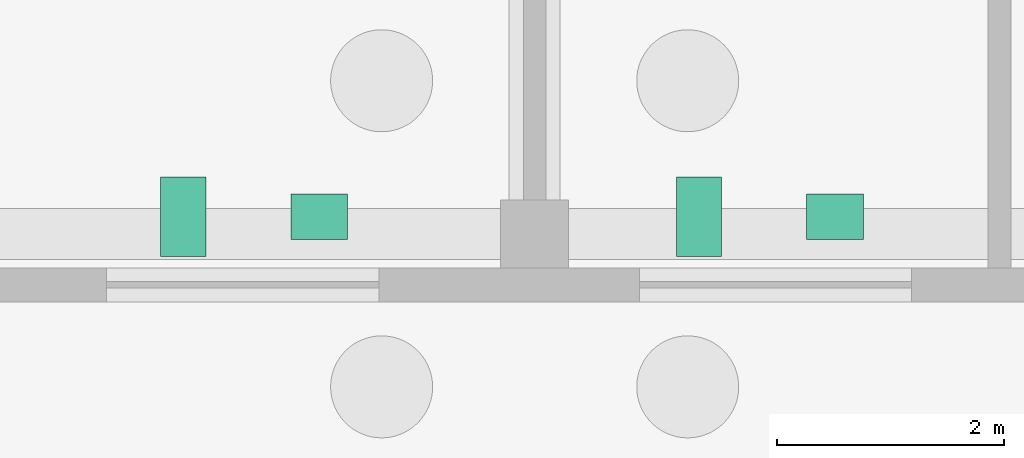
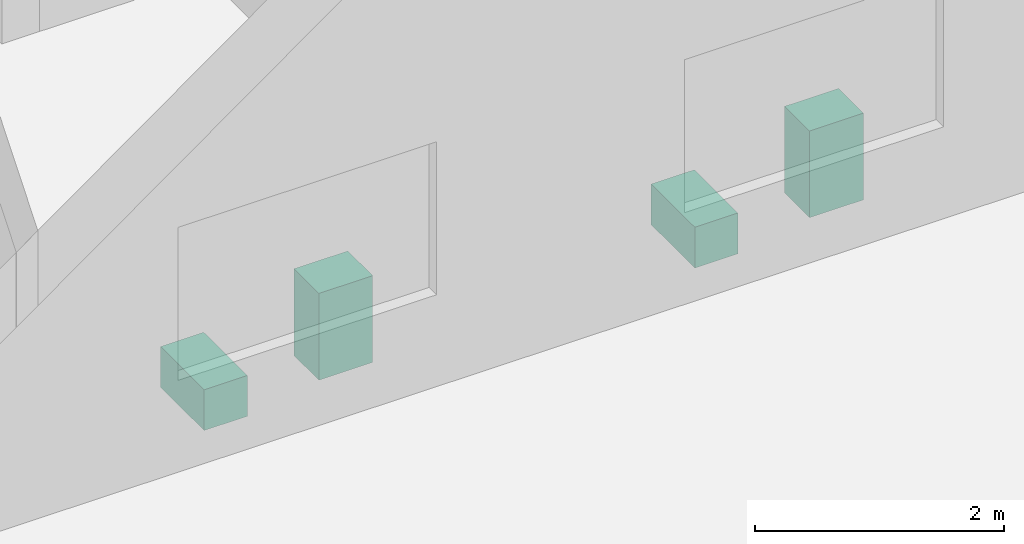
# One storey, part 29 of 31: 4 sanitary terminals.
"""IFC4 building model written with IfcOpenShell, lengths in metres."""

from ifc_helpers import new_model, si_unit, direction, frame, origin, origin_2d, place, context, subcontext, project, spatial, rectangle, extrude, material, type_object, element, save


model = new_model("IFC4")

# Units and contexts
model_context = context("Model", 3, precision=1e-05, world=origin(), true_north=direction((0.0, 1.0)))
body_context = subcontext(model_context, "Body", "Model", "MODEL_VIEW")
ifc_project = project(units=[si_unit("LENGTHUNIT", "METRE"), si_unit("AREAUNIT", "SQUARE_METRE"), si_unit("VOLUMEUNIT", "CUBIC_METRE"), si_unit("PLANEANGLEUNIT", "RADIAN"), si_unit("MASSUNIT", "GRAM", prefix="KILO")], contexts=[model_context])

# Site, building, storey
site_placement = place(None, origin())
site = spatial("IfcSite", under=ifc_project, at=site_placement, CompositionType="ELEMENT")
building_placement = place(site_placement, origin())
building = spatial("IfcBuilding", under=site, at=building_placement, Name="Girih Gate Residences", CompositionType="ELEMENT")
storey_placement = place(building_placement, origin())
storey = spatial("IfcBuildingStorey", under=building, at=storey_placement, Name="L00", CompositionType="ELEMENT", Elevation=0.0)

# Sanitary terminals
ifc_material = material(Name="Vitreous china")
sanitary_terminal_type_1 = type_object("IfcSanitaryTerminalType", Name="HC WC pan", PredefinedType="WCSEAT", material=ifc_material)
for number, where, z_axis, x_axis, name in (
    (1, (77.35009765625, 9.75, 0.0), (0.0, 0.0, 1.0), (1.0, 0.0, 0.0), "L00 Public WC WC"),
    (2, (81.89990234375, 9.75, 0.0), (0.0, 0.0, 1.0), (1.0, 0.0, 0.0), "L00 Accessible WC WC"),
):
    element("IfcSanitaryTerminal", number, at=place(storey_placement, frame(where, z_axis=z_axis, x_axis=x_axis)), inside=storey, type_object=sanitary_terminal_type_1, Name=name, PredefinedType="WCSEAT", context=body_context, shape_type="SweptSolid", body=[
        extrude(rectangle(XDim=0.39990234375, YDim=0.699951171875, at=origin_2d()), origin(), (0.0, 0.0, 1.0), 0.39990234375),
    ])
sanitary_terminal_type_2 = type_object("IfcSanitaryTerminalType", Name="HC Wash hand basin", PredefinedType="WASHHANDBASIN", material=ifc_material)
for number, where, z_axis, x_axis, name in (
    (3, (78.550048828125, 9.75, 0.0), (0.0, 0.0, 1.0), (1.0, 0.0, 0.0), "L00 Public WC basin"),
    (4, (83.10009765625, 9.75, 0.0), (0.0, 0.0, 1.0), (1.0, 0.0, 0.0), "L00 Accessible WC basin"),
):
    element("IfcSanitaryTerminal", number, at=place(storey_placement, frame(where, z_axis=z_axis, x_axis=x_axis)), inside=storey, type_object=sanitary_terminal_type_2, Name=name, PredefinedType="WASHHANDBASIN", context=body_context, shape_type="SweptSolid", body=[
        extrude(rectangle(XDim=0.5, YDim=0.39990234375, at=origin_2d()), origin(), (0.0, 0.0, 1.0), 0.85009765625),
    ])

save(model, "model.ifc")
